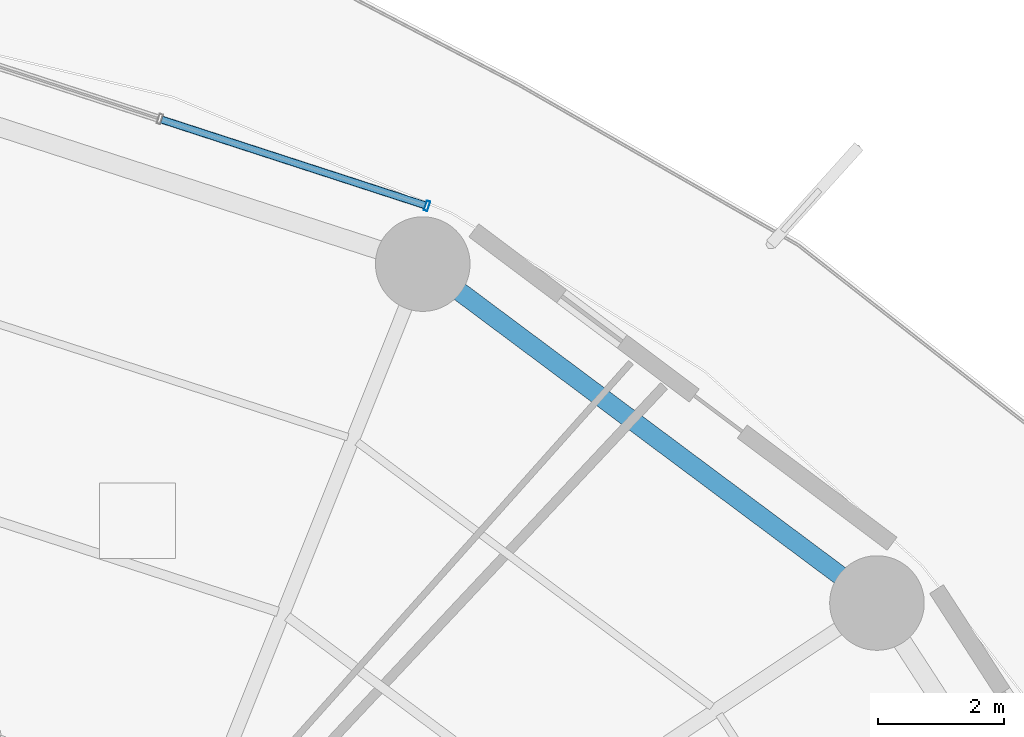
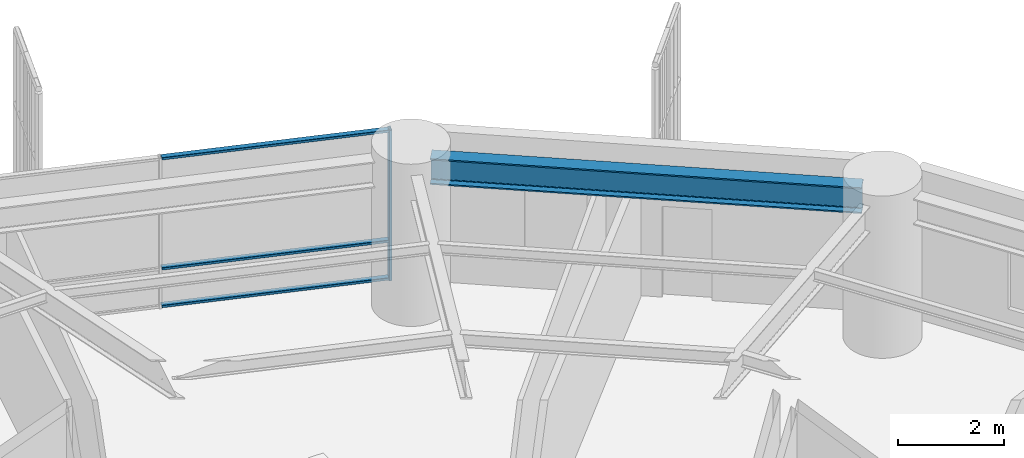
# One storey, part 21 of 35: 4 members, 1 beam, 1 element without a shape of its own.
"""IFC4 building model written with IfcOpenShell, lengths in metres."""

from ifc_helpers import new_model, si_unit, direction, frame, origin, origin_2d, place, context, subcontext, project, spatial, hollow_rectangle, i_section, extrude, material, layer, layer_set, material_profile, profile_set, type_object, element, aggregate, save


model = new_model("IFC4")

# Units and contexts
model_context = context("Model", 3, precision=1e-05, world=origin(), true_north=direction((0.0, 1.0)))
body_context = subcontext(model_context, "Body", "Model", "MODEL_VIEW")
ifc_project = project(units=[si_unit("LENGTHUNIT", "METRE"), si_unit("AREAUNIT", "SQUARE_METRE"), si_unit("VOLUMEUNIT", "CUBIC_METRE"), si_unit("PLANEANGLEUNIT", "RADIAN"), si_unit("MASSUNIT", "GRAM", prefix="KILO")], contexts=[model_context])

# Site, building, storey
site_placement = place(None, origin())
site = spatial("IfcSite", under=ifc_project, at=site_placement, CompositionType="ELEMENT")
building_placement = place(site_placement, origin())
building = spatial("IfcBuilding", under=site, at=building_placement, Name="Kelanora Arch Commons", CompositionType="ELEMENT")
storey_placement = place(building_placement, frame((0.0, 0.0, 22.5)))
storey = spatial("IfcBuildingStorey", under=building, at=storey_placement, Name="L05", CompositionType="ELEMENT", Elevation=22.5)

# Beam
ifc_material_1 = material(Name="Steel S355", Category="steel")
ifc_material_profile_1 = material_profile(ifc_material_1, i_section(OverallWidth=0.300048828125, OverallDepth=0.60009765625, WebThickness=0.015380859375, FlangeThickness=0.030029296875, FilletRadius=0.027099609375, at=origin_2d()), Name="HEB600")
ifc_profile_set_1 = profile_set([ifc_material_profile_1], Name="Steel S355")
beam_type = type_object("IfcBeamType", Name="BM-SPN-Z1", PredefinedType="SPANDREL", material=ifc_profile_set_1)
beam_placement = place(storey_placement, frame((94.43994140625, 73.70556640625, 3.18994140625), z_axis=(-0.801482139897, 0.598018711601, 0.0), x_axis=(-0.598018711601, -0.801482139897, 0.0)))
element("IfcBeam", 1, at=beam_placement, inside=storey, type_object=beam_type, Name="Perimeter Spandrel Beam BS-04 L05", PredefinedType="SPANDREL", context=body_context, shape_type="SweptSolid", body=[
    extrude(i_section(OverallWidth=0.300048828125, OverallDepth=0.60009765625, WebThickness=0.015380859375, FlangeThickness=0.030029296875, FilletRadius=0.027099609375, at=origin_2d()), origin(), (0.0, 0.0, 1.0), 8.22900390625),
])

# Curtain wall, members
ifc_material_2 = material(Name="Terracotta ceramic-fritted low-E glass and aluminium", Category="masonry")
ifc_layer = layer(ifc_material_2, 0.159912109375)
ifc_layer_set = layer_set([ifc_layer], Name="Terracotta ceramic-fritted low-E glass and aluminium")
curtain_wall_type = type_object("IfcCurtainWallType", Name="CW-SYS-01", PredefinedType="NOTDEFINED", material=ifc_layer_set)
curtain_wall_placement = place(storey_placement, origin())
curtain_wall = element("IfcCurtainWall", 2, at=curtain_wall_placement, inside=storey, type_object=curtain_wall_type, Name="Unitised Curtain Wall L05-B03", PredefinedType="NOTDEFINED")
ifc_material_3 = material(Name="Powder-coated aluminium terracotta", Category="masonry")
ifc_material_profile_2 = material_profile(ifc_material_3, hollow_rectangle(XDim=0.159912109375, YDim=0.06005859375, WallThickness=0.0048828125, InnerFilletRadius=0.0048828125, OuterFilletRadius=0.010009765625, at=origin_2d()), Name="CWM160x60")
ifc_profile_set_2 = profile_set([ifc_material_profile_2], Name="Powder-coated aluminium terracotta")
member_type_1 = type_object("IfcMemberType", Name="CWM-STD", PredefinedType="MULLION", material=ifc_profile_set_2)
member_1_placement = place(storey_placement, frame((87.607666015625, 79.778076171875, 0.0), z_axis=(0.0, 0.0, 1.0), x_axis=(-0.30905758454, -0.951043326793, 0.0)))
member_1 = element("IfcMember", 3, at=member_1_placement, type_object=member_type_1, Name="CW-01 mullion 1", PredefinedType="MULLION", context=body_context, shape_type="SweptSolid", body=[
    extrude(hollow_rectangle(XDim=0.159912109375, YDim=0.06005859375, WallThickness=0.0048828125, InnerFilletRadius=0.0048828125, OuterFilletRadius=0.010009765625, at=origin_2d()), origin(), (0.0, 0.0, 1.0), 3.47509765625),
])
ifc_material_profile_3 = material_profile(ifc_material_3, hollow_rectangle(XDim=0.1201171875, YDim=0.06005859375, WallThickness=0.0048828125, InnerFilletRadius=0.0048828125, OuterFilletRadius=0.010009765625, at=origin_2d()), Name="CWT120x60")
ifc_profile_set_3 = profile_set([ifc_material_profile_3], Name="Powder-coated aluminium terracotta")
member_type_2 = type_object("IfcMemberType", Name="CWT-STD", PredefinedType="USERDEFINED", material=ifc_profile_set_3)
member_2_placement = place(storey_placement, frame((87.5791015625, 79.787353515625, 0.030029296875), z_axis=(-0.951045091182, 0.309052155047, 0.0), x_axis=(-0.309052155047, -0.951045091182, 0.0)))
member_2 = element("IfcMember", 4, at=member_2_placement, type_object=member_type_2, Name="CW-01 transom 1.1", ObjectType="TRANSOM", PredefinedType="USERDEFINED", context=body_context, shape_type="SweptSolid", body=[
    extrude(hollow_rectangle(XDim=0.1201171875, YDim=0.06005859375, WallThickness=0.0048828125, InnerFilletRadius=0.0048828125, OuterFilletRadius=0.010009765625, at=origin_2d()), origin(), (0.0, 0.0, 1.0), 4.39453125),
])
member_3_placement = place(storey_placement, frame((87.5791015625, 79.787353515625, 0.89990234375), z_axis=(-0.951045091182, 0.309052155047, 0.0), x_axis=(-0.309052155047, -0.951045091182, 0.0)))
member_3 = element("IfcMember", 5, at=member_3_placement, type_object=member_type_2, Name="CW-01 transom 1.2", ObjectType="TRANSOM", PredefinedType="USERDEFINED", context=body_context, shape_type="SweptSolid", body=[
    extrude(hollow_rectangle(XDim=0.1201171875, YDim=0.06005859375, WallThickness=0.0048828125, InnerFilletRadius=0.0048828125, OuterFilletRadius=0.010009765625, at=origin_2d()), origin(), (0.0, 0.0, 1.0), 4.39453125),
])
member_4_placement = place(storey_placement, frame((87.5791015625, 79.787353515625, 3.445068359375), z_axis=(-0.951045091182, 0.309052155047, 0.0), x_axis=(-0.309052155047, -0.951045091182, 0.0)))
member_4 = element("IfcMember", 6, at=member_4_placement, type_object=member_type_2, Name="CW-01 transom 1.3", ObjectType="TRANSOM", PredefinedType="USERDEFINED", context=body_context, shape_type="SweptSolid", body=[
    extrude(hollow_rectangle(XDim=0.1201171875, YDim=0.06005859375, WallThickness=0.0048828125, InnerFilletRadius=0.0048828125, OuterFilletRadius=0.010009765625, at=origin_2d()), origin(), (0.0, 0.0, 1.0), 4.39453125),
])
aggregate(curtain_wall, [member_1, member_2, member_3, member_4])

save(model, "model.ifc")
